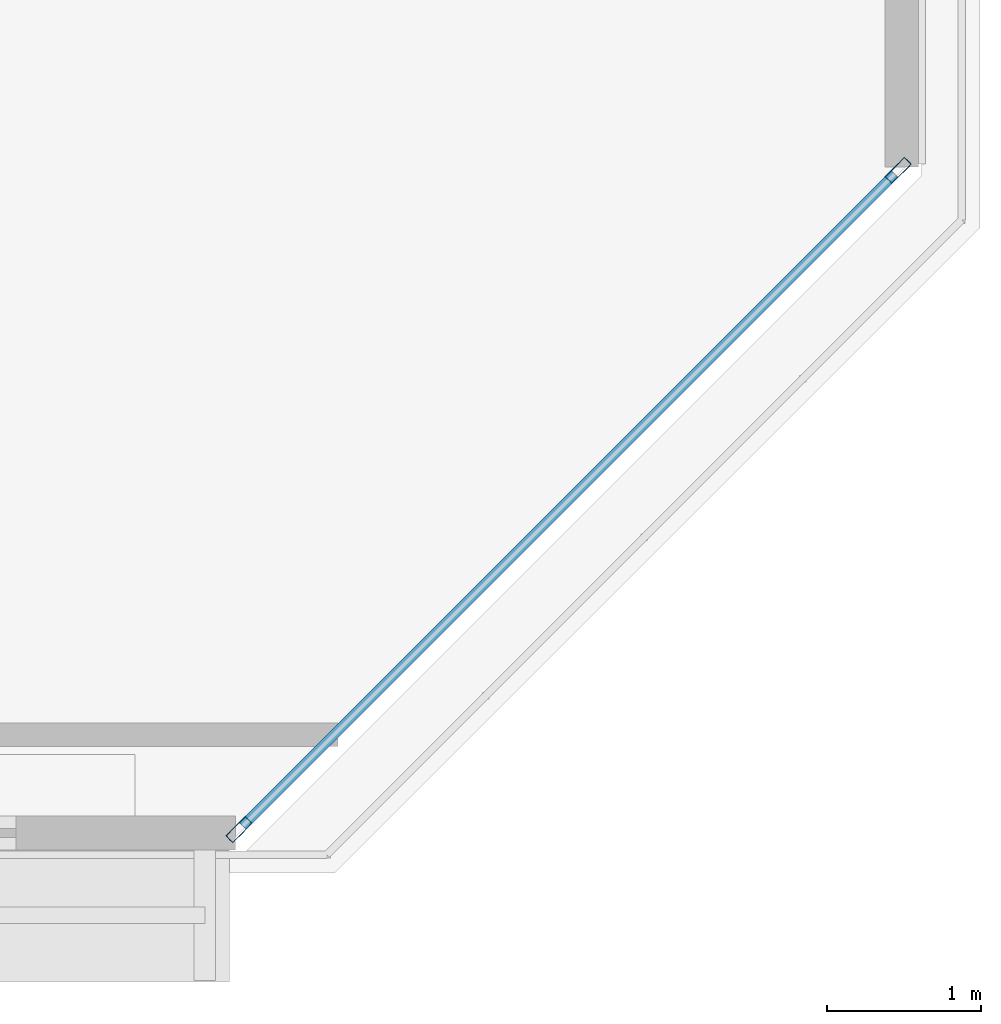
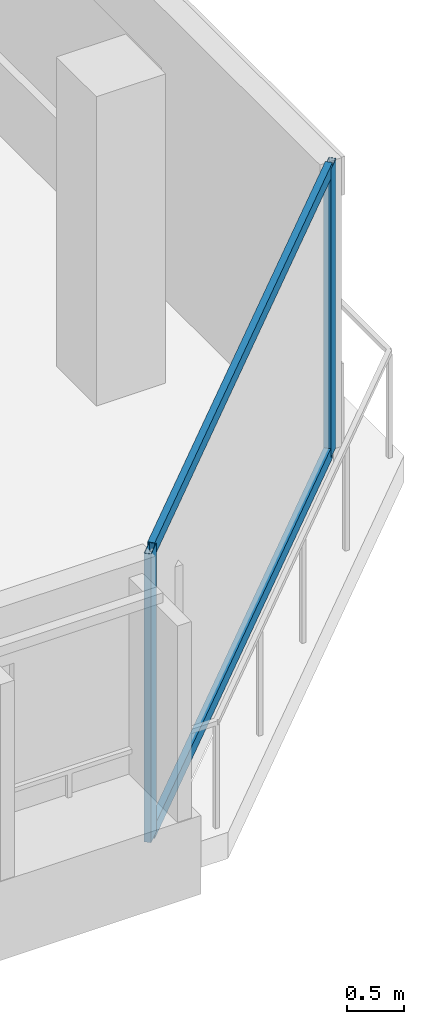
# One storey, part 16 of 30: 4 members, 1 element without a shape of its own.
"""IFC4 building model written with IfcOpenShell, lengths in metres."""

from ifc_helpers import new_model, si_unit, direction, frame, origin, origin_2d, place, context, subcontext, project, spatial, hollow_rectangle, extrude, material, layer, layer_set, material_profile, profile_set, type_object, element, aggregate, save


model = new_model("IFC4")

# Units and contexts
model_context = context("Model", 3, precision=1e-05, world=origin(), true_north=direction((0.0, 1.0)))
body_context = subcontext(model_context, "Body", "Model", "MODEL_VIEW")
ifc_project = project(units=[si_unit("LENGTHUNIT", "METRE"), si_unit("AREAUNIT", "SQUARE_METRE"), si_unit("VOLUMEUNIT", "CUBIC_METRE"), si_unit("PLANEANGLEUNIT", "RADIAN"), si_unit("MASSUNIT", "GRAM", prefix="KILO")], contexts=[model_context])

# Site, building, storey
site_placement = place(None, origin())
site = spatial("IfcSite", under=ifc_project, at=site_placement, CompositionType="ELEMENT")
building_placement = place(site_placement, origin())
building = spatial("IfcBuilding", under=site, at=building_placement, Name="Tanjung Sevakor Pilgrim Tower", CompositionType="ELEMENT")
storey_placement = place(building_placement, frame((0.0, 0.0, 229.35009765625)))
storey = spatial("IfcBuildingStorey", under=building, at=storey_placement, Name="L64", CompositionType="ELEMENT", Elevation=229.35009765625)

# Curtain wall, members
ifc_material_1 = material(Name="Aluminium 6063-T6 and Low-E Glass", Category="aluminium")
ifc_layer = layer(ifc_material_1, 0.179931640625)
ifc_layer_set = layer_set([ifc_layer], Name="CW-SYS-CHAM")
curtain_wall_type = type_object("IfcCurtainWallType", Name="CW-SYS-CHAM", PredefinedType="NOTDEFINED", material=ifc_layer_set)
curtain_wall_placement = place(storey_placement, origin())
curtain_wall = element("IfcCurtainWall", 1, at=curtain_wall_placement, inside=storey, type_object=curtain_wall_type, Name="L64 Curtain Wall CW-CHM-L64-EAST-1", PredefinedType="NOTDEFINED")
ifc_material_2 = material(Name="Aluminium 6063-T6", Category="aluminium")
ifc_material_profile_1 = material_profile(ifc_material_2, hollow_rectangle(XDim=0.06494140625, YDim=0.179931640625, WallThickness=0.00390625, at=origin_2d()))
ifc_profile_set_1 = profile_set([ifc_material_profile_1], Name="Aluminium 6063-T6")
member_type_1 = type_object("IfcMemberType", Name="TYPE-CWM-1", PredefinedType="MULLION", material=ifc_profile_set_1)
member_1_placement = place(storey_placement, frame((94.77734375, 12.3330078125, 0.0), z_axis=(0.0, 0.0, 1.0), x_axis=(-0.707106781187, 0.707106781187, 0.0)))
member_1 = element("IfcMember", 2, at=member_1_placement, type_object=member_type_1, Name="CW-CHM mullion 1", PredefinedType="MULLION", context=body_context, shape_type="SweptSolid", body=[
    extrude(hollow_rectangle(XDim=0.06494140625, YDim=0.179931640625, WallThickness=0.00390625, at=origin_2d()), origin(), (0.0, 0.0, 1.0), 3.079833984375),
])
member_2_placement = place(storey_placement, frame((99.067138671875, 16.62255859375, 0.0), z_axis=(0.0, 0.0, 1.0), x_axis=(-0.707106781187, 0.707106781187, 0.0)))
member_2 = element("IfcMember", 3, at=member_2_placement, type_object=member_type_1, Name="CW-CHM mullion 2", PredefinedType="MULLION", context=body_context, shape_type="SweptSolid", body=[
    extrude(hollow_rectangle(XDim=0.06494140625, YDim=0.179931640625, WallThickness=0.00390625, at=origin_2d()), origin(), (0.0, 0.0, 1.0), 3.079833984375),
])
ifc_material_3 = material(Name="Aluminium 6063-T6", Category="aluminium")
ifc_material_profile_2 = material_profile(ifc_material_3, hollow_rectangle(XDim=0.06494140625, YDim=0.139892578125, WallThickness=0.00390625, at=origin_2d()))
ifc_profile_set_2 = profile_set([ifc_material_profile_2], Name="Aluminium 6063-T6")
member_type_2 = type_object("IfcMemberType", Name="TYPE-CWT-1", PredefinedType="USERDEFINED", material=ifc_profile_set_2)
member_3_placement = place(storey_placement, frame((94.80029296875, 12.35595703125, 0.032470703125), z_axis=(0.707106781187, 0.707106781187, 0.0), x_axis=(-0.707106781187, 0.707106781187, 0.0)))
member_3 = element("IfcMember", 4, at=member_3_placement, type_object=member_type_2, Name="CW-CHM transom 1.1", ObjectType="TRANSOM", PredefinedType="USERDEFINED", context=body_context, shape_type="SweptSolid", body=[
    extrude(hollow_rectangle(XDim=0.06494140625, YDim=0.139892578125, WallThickness=0.00390625, at=origin_2d()), origin(), (0.0, 0.0, 1.0), 6.00146484375),
])
member_4_placement = place(storey_placement, frame((94.80029296875, 12.35595703125, 3.04736328125), z_axis=(0.707106781187, 0.707106781187, 0.0), x_axis=(-0.707106781187, 0.707106781187, 0.0)))
member_4 = element("IfcMember", 5, at=member_4_placement, type_object=member_type_2, Name="CW-CHM transom 1.2", ObjectType="TRANSOM", PredefinedType="USERDEFINED", context=body_context, shape_type="SweptSolid", body=[
    extrude(hollow_rectangle(XDim=0.06494140625, YDim=0.139892578125, WallThickness=0.00390625, at=origin_2d()), origin(), (0.0, 0.0, 1.0), 6.00146484375),
])
aggregate(curtain_wall, [member_1, member_2, member_3, member_4])

save(model, "model.ifc")
